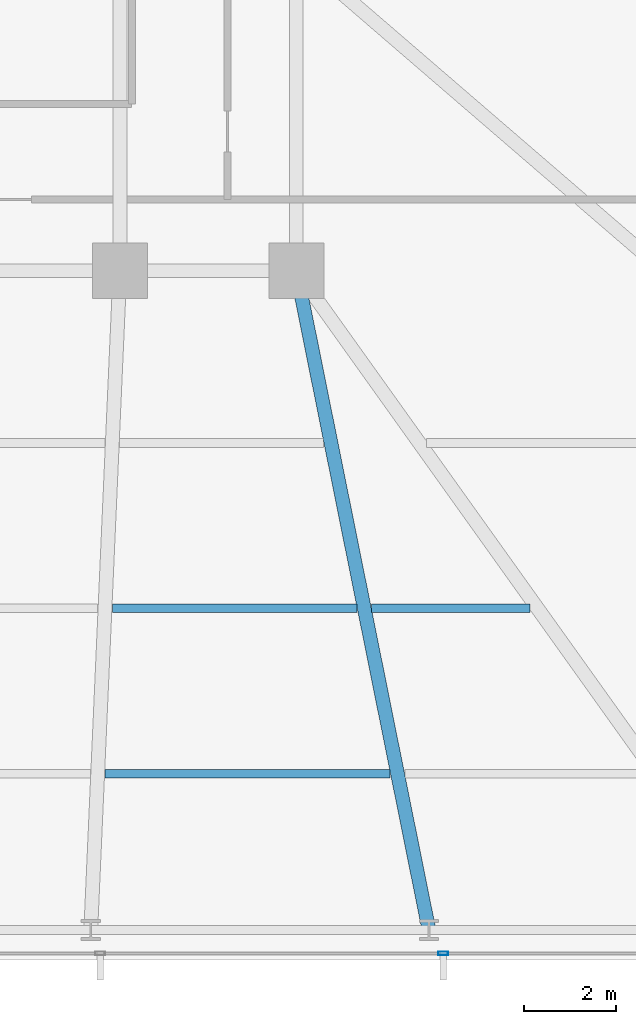
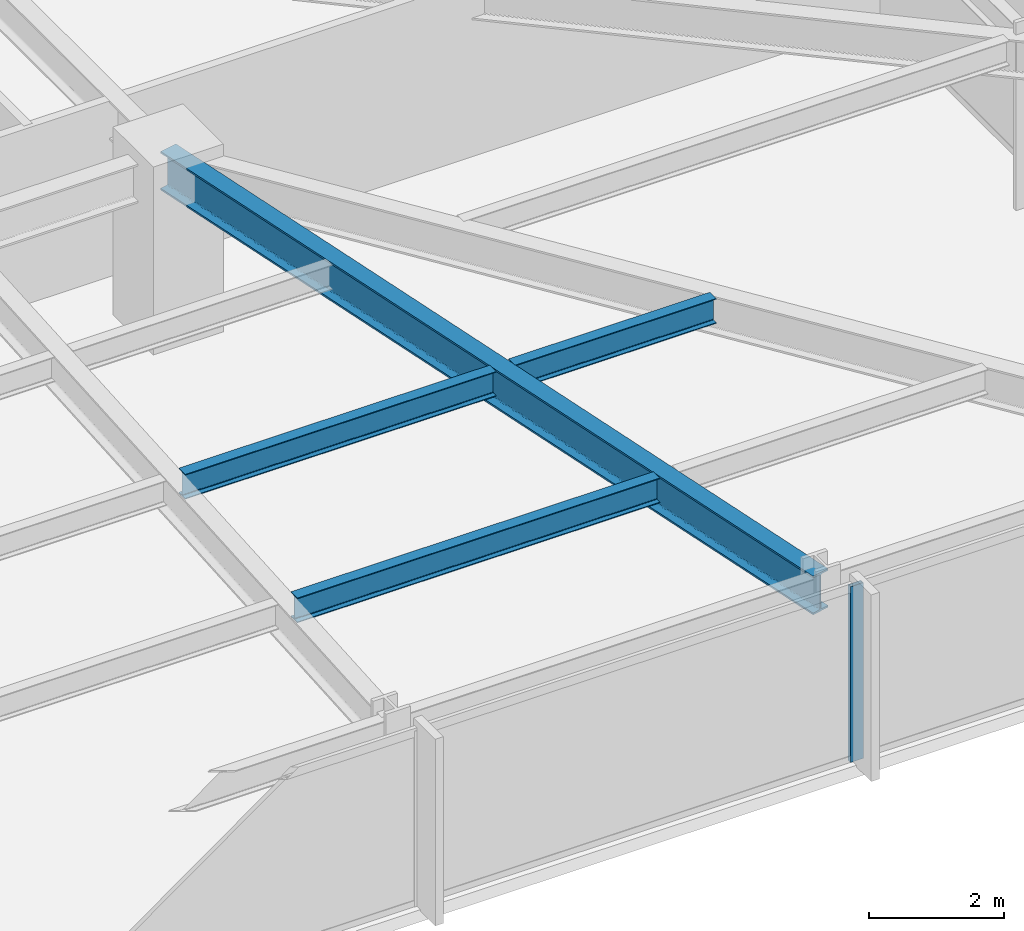
# One storey, part 14 of 32: 4 beams, 1 member, 1 element without a shape of its own.
"""IFC4 building model written with IfcOpenShell, lengths in metres."""

from ifc_helpers import new_model, si_unit, direction, frame, origin, origin_2d, place, context, subcontext, project, spatial, hollow_rectangle, i_section, extrude, material, material_profile, profile_set, type_object, element, aggregate, save


model = new_model("IFC4")

# Units and contexts
model_context = context("Model", 3, precision=1e-05, world=origin(), true_north=direction((0.0, 1.0)))
body_context = subcontext(model_context, "Body", "Model", "MODEL_VIEW")
ifc_project = project(units=[si_unit("LENGTHUNIT", "METRE"), si_unit("AREAUNIT", "SQUARE_METRE"), si_unit("VOLUMEUNIT", "CUBIC_METRE"), si_unit("PLANEANGLEUNIT", "RADIAN"), si_unit("MASSUNIT", "GRAM", prefix="KILO")], contexts=[model_context])

# Site, building, storey
site_placement = place(None, origin())
site = spatial("IfcSite", under=ifc_project, at=site_placement, CompositionType="ELEMENT")
building_placement = place(site_placement, origin())
building = spatial("IfcBuilding", under=site, at=building_placement, Name="Yelkora Congress Tower", CompositionType="ELEMENT")
storey_placement = place(building_placement, frame((0.0, 0.0, 61.0)))
storey = spatial("IfcBuildingStorey", under=building, at=storey_placement, Name="L15", CompositionType="ELEMENT", Elevation=61.0)

# Beams
ifc_material_1 = material(Name="Steel S355J2", Category="steel")
ifc_material_profile_1 = material_profile(ifc_material_1, i_section(OverallWidth=0.300048828125, OverallDepth=0.699951171875, WebThickness=0.01708984375, FlangeThickness=0.031982421875, FilletRadius=0.027099609375, at=origin_2d()), Name="HEB 700")
ifc_profile_set_1 = profile_set([ifc_material_profile_1], Name="Steel S355J2")
beam_type_1 = type_object("IfcBeamType", Name="BM-GIRD-HEB700", PredefinedType="BEAM", material=ifc_profile_set_1)
beam_1_placement = place(storey_placement, frame((60.487548828125, 10.85009765625, 2.830078125), z_axis=(-0.197264295931, 0.980350344291, 0.0), x_axis=(-0.980350344291, -0.197264295931, 0.0)))
element("IfcBeam", 1, at=beam_1_placement, inside=storey, type_object=beam_type_1, Name="L15 Primary Frame Girder S08", PredefinedType="BEAM", context=body_context, shape_type="SweptSolid", body=[
    extrude(i_section(OverallWidth=0.300048828125, OverallDepth=0.699951171875, WebThickness=0.01708984375, FlangeThickness=0.031982421875, FilletRadius=0.027099609375, at=origin_2d()), origin(), (0.0, 0.0, 1.0), 14.637451171875),
])
ifc_material_profile_2 = material_profile(ifc_material_1, i_section(OverallWidth=0.18994140625, OverallDepth=0.449951171875, WebThickness=0.009521484375, FlangeThickness=0.0146484375, FilletRadius=0.02099609375, at=origin_2d()), Name="IPE 450")
ifc_profile_set_2 = profile_set([ifc_material_profile_2], Name="Steel S355J2")
beam_type_2 = type_object("IfcBeamType", Name="BM-JOIST-IPE450", PredefinedType="JOIST", material=ifc_profile_set_2)
beam_2_placement = place(storey_placement, frame((53.435546875, 14.25, 2.955078125), z_axis=(1.0, 0.0, 0.0), x_axis=(0.0, 1.0, 0.0)))
element("IfcBeam", 2, at=beam_2_placement, inside=storey, type_object=beam_type_2, Name="L15 Composite Floor Joist 7", PredefinedType="JOIST", context=body_context, shape_type="SweptSolid", body=[
    extrude(i_section(OverallWidth=0.18994140625, OverallDepth=0.449951171875, WebThickness=0.009521484375, FlangeThickness=0.0146484375, FilletRadius=0.02099609375, at=origin_2d()), origin(), (0.0, 0.0, 1.0), 6.207763671875),
])
beam_3_placement = place(storey_placement, frame((53.5947265625, 17.85009765625, 2.955078125), z_axis=(1.0, 0.0, 0.0), x_axis=(0.0, 1.0, 0.0)))
element("IfcBeam", 3, at=beam_3_placement, inside=storey, type_object=beam_type_2, Name="L15 Composite Floor Joist 15", PredefinedType="JOIST", context=body_context, shape_type="SweptSolid", body=[
    extrude(i_section(OverallWidth=0.18994140625, OverallDepth=0.449951171875, WebThickness=0.009521484375, FlangeThickness=0.0146484375, FilletRadius=0.02099609375, at=origin_2d()), origin(), (0.0, 0.0, 1.0), 5.32421875),
])
beam_4_placement = place(storey_placement, frame((59.239013671875, 17.85009765625, 2.955078125), z_axis=(1.0, 0.0, 0.0), x_axis=(0.0, 1.0, 0.0)))
element("IfcBeam", 4, at=beam_4_placement, inside=storey, type_object=beam_type_2, Name="L15 Composite Floor Joist 16", PredefinedType="JOIST", context=body_context, shape_type="SweptSolid", body=[
    extrude(i_section(OverallWidth=0.18994140625, OverallDepth=0.449951171875, WebThickness=0.009521484375, FlangeThickness=0.0146484375, FilletRadius=0.02099609375, at=origin_2d()), origin(), (0.0, 0.0, 1.0), 3.450927734375),
])

# Curtain wall, member
ifc_material_2 = material(Name="Anodised aluminium and insulated glass", Category="aluminium")
curtain_wall_type = type_object("IfcCurtainWallType", Name="CW-SYS-B1", PredefinedType="NOTDEFINED", material=ifc_material_2)
curtain_wall_placement = place(storey_placement, origin())
curtain_wall = element("IfcCurtainWall", 5, at=curtain_wall_placement, inside=storey, type_object=curtain_wall_type, Name="L15 Unitised Curtain Wall 20", PredefinedType="NOTDEFINED")
ifc_material_3 = material(Name="Anodised aluminium 6063-T6", Category="aluminium")
ifc_material_profile_3 = material_profile(ifc_material_3, hollow_rectangle(XDim=0.074951171875, YDim=0.219970703125, WallThickness=0.0048828125, at=origin_2d()), Name="ALU 75x220x5")
ifc_profile_set_3 = profile_set([ifc_material_profile_3], Name="Anodised aluminium 6063-T6")
member_type = type_object("IfcMemberType", Name="MEM-ML-B1", PredefinedType="MULLION", material=ifc_profile_set_3)
member_placement = place(storey_placement, frame((60.794921875, 10.340087890625, 0.0), z_axis=(0.0, 0.0, 1.0), x_axis=(0.0, -1.0, 0.0)))
member = element("IfcMember", 6, at=member_placement, type_object=member_type, Name="CW-B1 mullion 2", PredefinedType="MULLION", context=body_context, shape_type="SweptSolid", body=[
    extrude(hollow_rectangle(XDim=0.074951171875, YDim=0.219970703125, WallThickness=0.0048828125, at=origin_2d()), origin(), (0.0, 0.0, 1.0), 3.179931640625),
])
aggregate(curtain_wall, [member])

save(model, "model.ifc")
